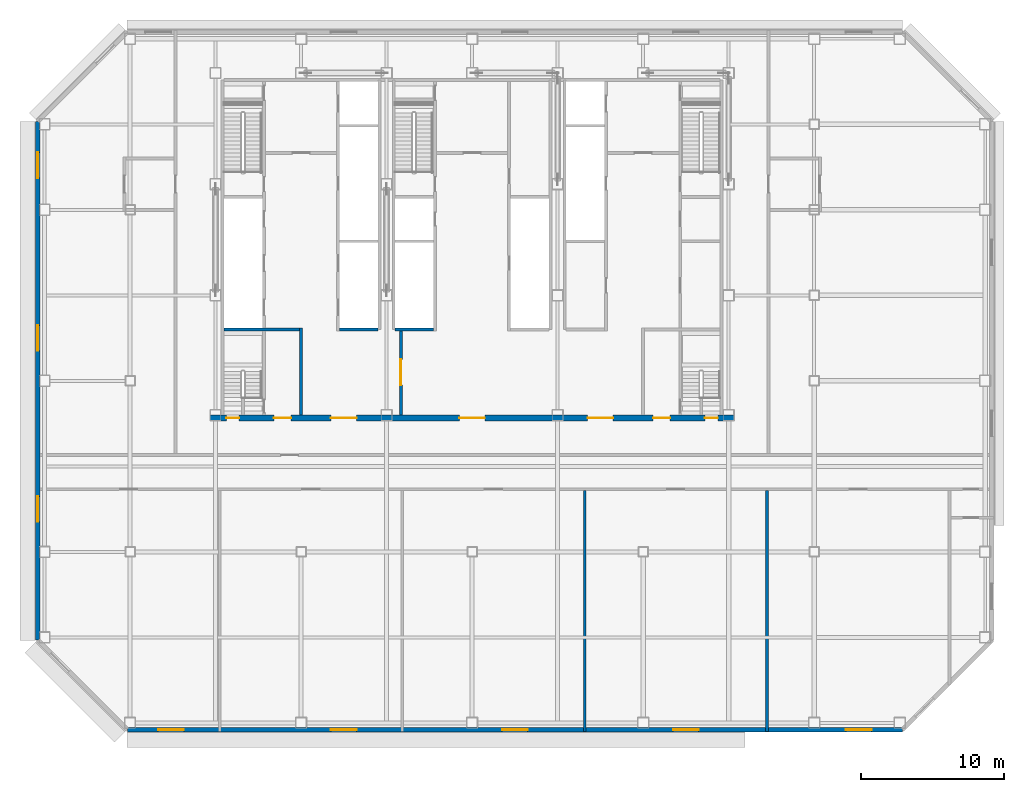
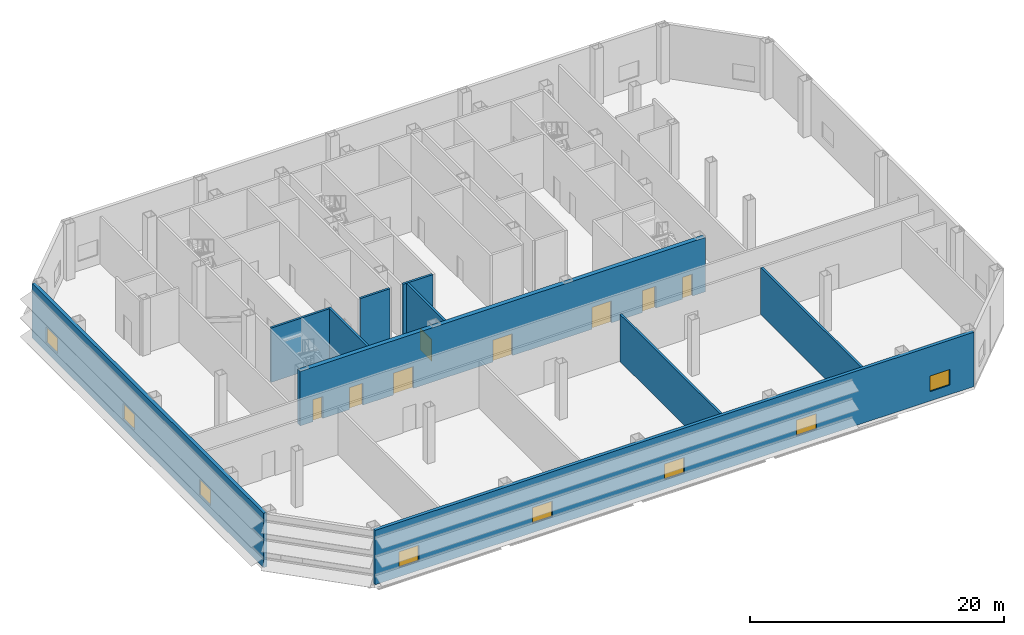
# One storey, part 3 of 10: 10 walls, 8 doors, 8 windows, 16 openings.
"""IFC4 building model written with IfcOpenShell, lengths in metres."""

import ifcopenshell
import ifcopenshell.guid

model = None  # the IFC model being written
_history = None  # IfcOwnerHistory: only IFC2X3 demands one
_inside = {}  # id of a spatial element -> (the spatial element, [elements in it])
_under = {}  # id of a project, library or spatial element -> (it, [spatial elements below it])
_declared = {}  # id of a project -> (the project, [libraries it declares])
_typed = {}  # id of a type object -> (the type object, [elements of that type])
_made_of = {}  # id of a material, layer set ... -> (it, [elements and type objects made of it])


def new_model(schema):
    """Start an empty IFC model of exactly this schema.

    Asked for "IFC4X3", IfcOpenShell would pick the latest addendum, in which some entities
    have other attributes; the version numbers below select the first issue.
    IFC2X3 requires an IfcOwnerHistory on every rooted entity: one is made here for all.
    """
    global model, _history
    if schema == "IFC4X3":
        model = ifcopenshell.file(schema_version=(4, 3, 0, 0))
    else:
        model = ifcopenshell.file(schema=schema)
    _inside.clear()
    _under.clear()
    _declared.clear()
    _typed.clear()
    _made_of.clear()
    _history = None
    if model.schema == "IFC2X3":
        org = make("IfcOrganization", Name="unknown")
        user = make(
            "IfcPersonAndOrganization",
            ThePerson=make("IfcPerson", FamilyName="unknown"),
            TheOrganization=org,
        )
        app = make(
            "IfcApplication",
            ApplicationDeveloper=org,
            Version="unknown",
            ApplicationFullName="unknown",
            ApplicationIdentifier="unknown",
        )
        _history = make(
            "IfcOwnerHistory",
            OwningUser=user,
            OwningApplication=app,
            ChangeAction="ADDED",
            CreationDate=0,
        )
    return model


def make(cls, **values):
    """One entity of the class cls with the attributes given. An attribute that is None is left unset."""
    return model.create_entity(
        cls, **{name: value for name, value in values.items() if value is not None}
    )


def rooted(cls, **values):
    """An entity with a GlobalId (a new one), such as an element, a storey or a relation."""
    return make(cls, GlobalId=ifcopenshell.guid.new(), OwnerHistory=_history, **values)


def si_unit(unit_type, name, prefix=None):
    """IfcSIUnit, for example si_unit("LENGTHUNIT", "METRE", prefix="MILLI")."""
    return make("IfcSIUnit", UnitType=unit_type, Prefix=prefix, Name=name)


def assignment(units):
    """IfcUnitAssignment: the units of a project."""
    return None if units is None else make("IfcUnitAssignment", Units=units)


def point(xyz):
    """IfcCartesianPoint."""
    return None if xyz is None else make("IfcCartesianPoint", Coordinates=xyz)


def direction(xyz):
    """IfcDirection."""
    return None if xyz is None else make("IfcDirection", DirectionRatios=xyz)


def frame(location, z_axis=None, x_axis=None):
    """IfcAxis2Placement3D, a coordinate frame: its origin and axes. An axis left out is left unset."""
    return make(
        "IfcAxis2Placement3D",
        Location=point(location),
        Axis=direction(z_axis),
        RefDirection=direction(x_axis),
    )


def frame_2d(location, x_axis=None):
    """IfcAxis2Placement2D, a coordinate frame in the plane: its origin and x axis."""
    return make(
        "IfcAxis2Placement2D", Location=point(location), RefDirection=direction(x_axis)
    )


def origin():
    """The frame at (0, 0, 0) with its axes left unset."""
    return frame((0.0, 0.0, 0.0))


def place(relative_to, where):
    """IfcLocalPlacement: puts the frame where relative to a parent placement (None: the world)."""
    return make(
        "IfcLocalPlacement", PlacementRelTo=relative_to, RelativePlacement=where
    )


def context(
    kind, dimensions, precision=None, world=None, true_north=None, identifier=None
):
    """IfcGeometricRepresentationContext, for example the 3D "Model" context."""
    return make(
        "IfcGeometricRepresentationContext",
        ContextIdentifier=identifier,
        ContextType=kind,
        CoordinateSpaceDimension=dimensions,
        Precision=precision,
        WorldCoordinateSystem=world,
        TrueNorth=true_north,
    )


def subcontext(parent, identifier, kind, view, scale=None):
    """IfcGeometricRepresentationSubContext, for example "Body" below "Model"."""
    return make(
        "IfcGeometricRepresentationSubContext",
        ContextIdentifier=identifier,
        ContextType=kind,
        ParentContext=parent,
        TargetScale=scale,
        TargetView=view,
    )


def project(units=None, contexts=None):
    """IfcProject with its units and contexts."""
    return rooted(
        "IfcProject",
        Name="project",
        RepresentationContexts=contexts,
        UnitsInContext=assignment(units),
    )


def spatial(cls, under=None, at=None, **own):
    """A site, building, storey or space (cls), placed at a placement, below another one or the project."""
    s = rooted(cls, ObjectPlacement=at, **own)
    if under is not None:
        _under.setdefault(under.id(), (under, []))[1].append(s)
    return s


def profile(cls, at=None, kind="AREA", **sizes):
    """A parametric profile (cls). Its sizes go by their IFC names, for example OverallWidth=200.0."""
    return make(cls, ProfileType=kind, Position=at, **sizes)


def rectangle(**sizes):
    """IfcRectangleProfileDef."""
    return profile("IfcRectangleProfileDef", **sizes)


def extrude(swept, where, along, depth):
    """IfcExtrudedAreaSolid: the profile swept, set in the frame where, extruded along a direction by depth."""
    return make(
        "IfcExtrudedAreaSolid",
        SweptArea=swept,
        Position=where,
        ExtrudedDirection=direction(along),
        Depth=depth,
    )


def shape(context_of_items, identifier, shape_type, items):
    """IfcShapeRepresentation: the items that make up one representation, for example the "Body"."""
    return make(
        "IfcShapeRepresentation",
        ContextOfItems=context_of_items,
        RepresentationIdentifier=identifier,
        RepresentationType=shape_type,
        Items=items,
    )


def material(Name=None, Category=None):
    """IfcMaterial."""
    return make("IfcMaterial", Name=Name, Category=Category)


def layer(
    of_material, thickness, ventilated=None, Name=None, Category=None, Priority=None
):
    """IfcMaterialLayer: one layer of a wall or slab, of a material (None: an air gap)."""
    return make(
        "IfcMaterialLayer",
        Material=of_material,
        LayerThickness=thickness,
        IsVentilated=ventilated,
        Name=Name,
        Category=Category,
        Priority=Priority,
    )


def layer_set(layers, Name=None):
    """IfcMaterialLayerSet."""
    return make("IfcMaterialLayerSet", MaterialLayers=layers, LayerSetName=Name)


def made_of(thing, what):
    """Note that an element or type object is made of a material, layer set ...; save() writes the relation."""
    if what is not None:
        _made_of.setdefault(what.id(), (what, []))[1].append(thing)
    return thing


def type_object(cls, material=None, **own):
    """A type object (cls), such as IfcWallType, which elements share."""
    return made_of(rooted(cls, **own), material)


def element(
    cls,
    number,
    at=None,
    inside=None,
    cuts=None,
    type_object=None,
    material=None,
    context=None,
    identifier="Body",
    shape_type=None,
    held_by="IfcProductDefinitionShape",
    body=None,
    shapes=None,
    **own,
):
    """One element of the class cls, such as IfcWall. Its Tag is "e" and its number.

    at: its placement. inside: the storey or other place that contains it. cuts: it is an
    opening in that element (IfcRelVoidsElement). A single representation is given by context,
    identifier, shape_type and body (its items); several are given by shapes. held_by: the class
    of the entity that holds the representations. save() writes the other relations.
    """
    e = rooted(cls, Tag="e%d" % number, ObjectPlacement=at, **own)
    if body is not None:
        shapes = [shape(context, identifier, shape_type, body)]
    if shapes is not None:
        e.Representation = make(held_by, Representations=shapes)
    if inside is not None:
        _inside.setdefault(inside.id(), (inside, []))[1].append(e)
    if cuts is not None:
        rooted(
            "IfcRelVoidsElement", RelatingBuildingElement=cuts, RelatedOpeningElement=e
        )
    if type_object is not None:
        _typed.setdefault(type_object.id(), (type_object, []))[1].append(e)
    return made_of(e, material)


def fill(opening, filler):
    """IfcRelFillsElement: the door or window that sits in an opening."""
    return rooted(
        "IfcRelFillsElement",
        RelatingOpeningElement=opening,
        RelatedBuildingElement=filler,
    )


def aggregate(whole, parts):
    """IfcRelAggregates: a whole, such as a stair, and the parts it consists of."""
    return rooted("IfcRelAggregates", RelatingObject=whole, RelatedObjects=parts)


def save(model, path):
    """Write the relations noted so far, then the file.

    IfcRelAggregates (storeys below a building ...), IfcRelContainedInSpatialStructure (elements
    in a storey), IfcRelDefinesByType, IfcRelAssociatesMaterial and IfcRelDeclares: one each for
    every whole, place, type object, material and project.
    """
    for whole, parts in _under.values():
        aggregate(whole, parts)
    for where, things in _inside.values():
        rooted(
            "IfcRelContainedInSpatialStructure",
            RelatedElements=things,
            RelatingStructure=where,
        )
    for kind, things in _typed.values():
        rooted("IfcRelDefinesByType", RelatedObjects=things, RelatingType=kind)
    for what, things in _made_of.values():
        rooted("IfcRelAssociatesMaterial", RelatedObjects=things, RelatingMaterial=what)
    for by, libraries in _declared.values():
        rooted("IfcRelDeclares", RelatingContext=by, RelatedDefinitions=libraries)
    model.write(path)


model = new_model("IFC4")

# Units and contexts
model_context = context("Model", 3, precision=1e-05, world=origin(), true_north=direction((0.0, 1.0)))
body_context = subcontext(model_context, "Body", "Model", "MODEL_VIEW")
ifc_project = project(units=[si_unit("LENGTHUNIT", "METRE"), si_unit("AREAUNIT", "SQUARE_METRE"), si_unit("VOLUMEUNIT", "CUBIC_METRE"), si_unit("PLANEANGLEUNIT", "RADIAN"), si_unit("MASSUNIT", "GRAM", prefix="KILO")], contexts=[model_context])

# Site, building, storey
site_placement = place(None, origin())
site = spatial("IfcSite", under=ifc_project, at=site_placement, CompositionType="ELEMENT")
building_placement = place(site_placement, origin())
building = spatial("IfcBuilding", under=site, at=building_placement, Name="Sorahane Residences", CompositionType="ELEMENT")
storey_placement = place(building_placement, frame((0.0, 0.0, 138.39990234375)))
storey = spatial("IfcBuildingStorey", under=building, at=storey_placement, Name="L31", CompositionType="ELEMENT", Elevation=138.39990234375)

# Wall, openings, windows
ifc_material_1 = material(Name="Graphite insulated metal-clad wall")
ifc_layer_1 = layer(ifc_material_1, 0.300048828125)
ifc_layer_set_1 = layer_set([ifc_layer_1], Name="External wall insulated metal-clad 300")
wall_type_1 = type_object("IfcWallType", Name="External wall insulated metal-clad 300", PredefinedType="SOLIDWALL", material=ifc_layer_set_1)
wall_1_placement = place(storey_placement, frame((-0.194580078125, -0.469970703125, 0.0), z_axis=(0.0, 0.0, 1.0), x_axis=(1.0, 0.0, 0.0)))
wall_1 = element("IfcWall", 1, at=wall_1_placement, inside=storey, type_object=wall_type_1, Name="External plant wall L31 S1", PredefinedType="SOLIDWALL", context=body_context, shape_type="SweptSolid", body=[
    extrude(rectangle(XDim=54.38916015625, YDim=0.300048828125, at=frame_2d((27.194580078125, 0.0))), origin(), (0.0, 0.0, 1.0), 5.22021484375),
])
opening_1_placement = place(wall_1_placement, frame((2.17041015625, 0.0, 0.89990234375)))
opening_1 = element("IfcOpeningElement", 2, at=opening_1_placement, cuts=wall_1, Name="Opening W-R1", PredefinedType="OPENING", context=body_context, shape_type="SweptSolid", body=[
    extrude(rectangle(XDim=1.800048828125, YDim=1.5, at=frame_2d((0.89990234375, 0.75))), frame((0.0, 0.159912109375, 0.0), z_axis=(0.0, -1.0, 0.0), x_axis=(1.0, 0.0, 0.0)), (0.0, 0.0, 1.0), 0.320068359375),
])
opening_2_placement = place(wall_1_placement, frame((14.294677734375, 0.0, 0.89990234375)))
opening_2 = element("IfcOpeningElement", 3, at=opening_2_placement, cuts=wall_1, Name="Opening W-R1", PredefinedType="OPENING", context=body_context, shape_type="SweptSolid", body=[
    extrude(rectangle(XDim=1.800048828125, YDim=1.5, at=frame_2d((0.89990234375, 0.75))), frame((0.0, 0.159912109375, 0.0), z_axis=(0.0, -1.0, 0.0), x_axis=(1.0, 0.0, 0.0)), (0.0, 0.0, 1.0), 0.320068359375),
])
opening_3_placement = place(wall_1_placement, frame((26.294677734375, 0.0, 0.89990234375)))
opening_3 = element("IfcOpeningElement", 4, at=opening_3_placement, cuts=wall_1, Name="Opening W-R1", PredefinedType="OPENING", context=body_context, shape_type="SweptSolid", body=[
    extrude(rectangle(XDim=1.800048828125, YDim=1.5, at=frame_2d((0.89990234375, 0.75))), frame((0.0, 0.159912109375, 0.0), z_axis=(0.0, -1.0, 0.0), x_axis=(1.0, 0.0, 0.0)), (0.0, 0.0, 1.0), 0.320068359375),
])
opening_4_placement = place(wall_1_placement, frame((38.294677734375, 0.0, 0.89990234375)))
opening_4 = element("IfcOpeningElement", 5, at=opening_4_placement, cuts=wall_1, Name="Opening W-R1", PredefinedType="OPENING", context=body_context, shape_type="SweptSolid", body=[
    extrude(rectangle(XDim=1.800048828125, YDim=1.5, at=frame_2d((0.89990234375, 0.75))), frame((0.0, 0.159912109375, 0.0), z_axis=(0.0, -1.0, 0.0), x_axis=(1.0, 0.0, 0.0)), (0.0, 0.0, 1.0), 0.320068359375),
])
opening_5_placement = place(wall_1_placement, frame((50.4189453125, 0.0, 0.89990234375)))
opening_5 = element("IfcOpeningElement", 6, at=opening_5_placement, cuts=wall_1, Name="Opening W-R1", PredefinedType="OPENING", context=body_context, shape_type="SweptSolid", body=[
    extrude(rectangle(XDim=1.800048828125, YDim=1.5, at=frame_2d((0.89990234375, 0.75))), frame((0.0, 0.159912109375, 0.0), z_axis=(0.0, -1.0, 0.0), x_axis=(1.0, 0.0, 0.0)), (0.0, 0.0, 1.0), 0.320068359375),
])
ifc_material_2 = material(Name="Dark aluminium and glass", Category="aluminium")
window_type = type_object("IfcWindowType", Name="Openable Class B fire window dark aluminium 1800x1500", PartitioningType="SINGLE_PANEL", PredefinedType="WINDOW", material=ifc_material_2)
window_1_placement = place(opening_1_placement, origin())
window_1 = element("IfcWindow", 7, at=window_1_placement, inside=storey, type_object=window_type, Name="Openable fire window L31 S1.1", OverallHeight=1.5, OverallWidth=1.800048828125, PartitioningType="SINGLE_PANEL", PredefinedType="WINDOW", context=body_context, shape_type="SweptSolid", body=[
    extrude(rectangle(XDim=1.800048828125, YDim=1.5, at=frame_2d((0.89990234375, 0.75))), frame((0.0, 0.030029296875, 0.0), z_axis=(0.0, -1.0, 0.0), x_axis=(1.0, 0.0, 0.0)), (0.0, 0.0, 1.0), 0.06005859375),
])
fill(opening_1, window_1)
window_2_placement = place(opening_2_placement, origin())
window_2 = element("IfcWindow", 8, at=window_2_placement, inside=storey, type_object=window_type, Name="Openable fire window L31 S1.3", OverallHeight=1.5, OverallWidth=1.800048828125, PartitioningType="SINGLE_PANEL", PredefinedType="WINDOW", context=body_context, shape_type="SweptSolid", body=[
    extrude(rectangle(XDim=1.800048828125, YDim=1.5, at=frame_2d((0.89990234375, 0.75))), frame((0.0, 0.030029296875, 0.0), z_axis=(0.0, -1.0, 0.0), x_axis=(1.0, 0.0, 0.0)), (0.0, 0.0, 1.0), 0.06005859375),
])
fill(opening_2, window_2)
window_3_placement = place(opening_3_placement, origin())
window_3 = element("IfcWindow", 9, at=window_3_placement, inside=storey, type_object=window_type, Name="Openable fire window L31 S1.5", OverallHeight=1.5, OverallWidth=1.800048828125, PartitioningType="SINGLE_PANEL", PredefinedType="WINDOW", context=body_context, shape_type="SweptSolid", body=[
    extrude(rectangle(XDim=1.800048828125, YDim=1.5, at=frame_2d((0.89990234375, 0.75))), frame((0.0, 0.030029296875, 0.0), z_axis=(0.0, -1.0, 0.0), x_axis=(1.0, 0.0, 0.0)), (0.0, 0.0, 1.0), 0.06005859375),
])
fill(opening_3, window_3)
window_4_placement = place(opening_4_placement, origin())
window_4 = element("IfcWindow", 10, at=window_4_placement, inside=storey, type_object=window_type, Name="Openable fire window L31 S1.7", OverallHeight=1.5, OverallWidth=1.800048828125, PartitioningType="SINGLE_PANEL", PredefinedType="WINDOW", context=body_context, shape_type="SweptSolid", body=[
    extrude(rectangle(XDim=1.800048828125, YDim=1.5, at=frame_2d((0.89990234375, 0.75))), frame((0.0, 0.030029296875, 0.0), z_axis=(0.0, -1.0, 0.0), x_axis=(1.0, 0.0, 0.0)), (0.0, 0.0, 1.0), 0.06005859375),
])
fill(opening_4, window_4)
window_5_placement = place(opening_5_placement, origin())
window_5 = element("IfcWindow", 11, at=window_5_placement, inside=storey, type_object=window_type, Name="Openable fire window L31 S1.9", OverallHeight=1.5, OverallWidth=1.800048828125, PartitioningType="SINGLE_PANEL", PredefinedType="WINDOW", context=body_context, shape_type="SweptSolid", body=[
    extrude(rectangle(XDim=1.800048828125, YDim=1.5, at=frame_2d((0.89990234375, 0.75))), frame((0.0, 0.030029296875, 0.0), z_axis=(0.0, -1.0, 0.0), x_axis=(1.0, 0.0, 0.0)), (0.0, 0.0, 1.0), 0.06005859375),
])
fill(opening_5, window_5)

wall_2_placement = place(storey_placement, frame((-6.469970703125, 42.194580078125, 0.0), z_axis=(0.0, 0.0, 1.0), x_axis=(0.0, -1.0, 0.0)))
wall_2 = element("IfcWall", 12, at=wall_2_placement, inside=storey, type_object=wall_type_1, Name="External plant wall L31 W1", PredefinedType="SOLIDWALL", context=body_context, shape_type="SweptSolid", body=[
    extrude(rectangle(XDim=36.38916015625, YDim=0.300048828125, at=frame_2d((18.194580078125, 0.0))), origin(), (0.0, 0.0, 1.0), 5.22021484375),
])
opening_6_placement = place(wall_2_placement, frame((2.17041015625, 0.0, 0.89990234375)))
opening_6 = element("IfcOpeningElement", 13, at=opening_6_placement, cuts=wall_2, Name="Opening W-R1", PredefinedType="OPENING", context=body_context, shape_type="SweptSolid", body=[
    extrude(rectangle(XDim=1.800048828125, YDim=1.5, at=frame_2d((0.89990234375, 0.75))), frame((0.0, 0.159912109375, 0.0), z_axis=(0.0, -1.0, 0.0), x_axis=(1.0, 0.0, 0.0)), (0.0, 0.0, 1.0), 0.320068359375),
])
opening_7_placement = place(wall_2_placement, frame((14.294677734375, 0.0, 0.89990234375)))
opening_7 = element("IfcOpeningElement", 14, at=opening_7_placement, cuts=wall_2, Name="Opening W-R1", PredefinedType="OPENING", context=body_context, shape_type="SweptSolid", body=[
    extrude(rectangle(XDim=1.800048828125, YDim=1.5, at=frame_2d((0.89990234375, 0.75))), frame((0.0, 0.159912109375, 0.0), z_axis=(0.0, -1.0, 0.0), x_axis=(1.0, 0.0, 0.0)), (0.0, 0.0, 1.0), 0.320068359375),
])
opening_8_placement = place(wall_2_placement, frame((26.294677734375, 0.0, 0.89990234375)))
opening_8 = element("IfcOpeningElement", 15, at=opening_8_placement, cuts=wall_2, Name="Opening W-R1", PredefinedType="OPENING", context=body_context, shape_type="SweptSolid", body=[
    extrude(rectangle(XDim=1.800048828125, YDim=1.5, at=frame_2d((0.89990234375, 0.75))), frame((0.0, 0.159912109375, 0.0), z_axis=(0.0, -1.0, 0.0), x_axis=(1.0, 0.0, 0.0)), (0.0, 0.0, 1.0), 0.320068359375),
])
window_6_placement = place(opening_6_placement, origin())
window_6 = element("IfcWindow", 16, at=window_6_placement, inside=storey, type_object=window_type, Name="Openable fire window L31 W1.1", OverallHeight=1.5, OverallWidth=1.800048828125, PartitioningType="SINGLE_PANEL", PredefinedType="WINDOW", context=body_context, shape_type="SweptSolid", body=[
    extrude(rectangle(XDim=1.800048828125, YDim=1.5, at=frame_2d((0.89990234375, 0.75))), frame((0.0, 0.030029296875, 0.0), z_axis=(0.0, -1.0, 0.0), x_axis=(1.0, 0.0, 0.0)), (0.0, 0.0, 1.0), 0.06005859375),
])
fill(opening_6, window_6)
window_7_placement = place(opening_7_placement, origin())
window_7 = element("IfcWindow", 17, at=window_7_placement, inside=storey, type_object=window_type, Name="Openable fire window L31 W1.3", OverallHeight=1.5, OverallWidth=1.800048828125, PartitioningType="SINGLE_PANEL", PredefinedType="WINDOW", context=body_context, shape_type="SweptSolid", body=[
    extrude(rectangle(XDim=1.800048828125, YDim=1.5, at=frame_2d((0.89990234375, 0.75))), frame((0.0, 0.030029296875, 0.0), z_axis=(0.0, -1.0, 0.0), x_axis=(1.0, 0.0, 0.0)), (0.0, 0.0, 1.0), 0.06005859375),
])
fill(opening_7, window_7)
window_8_placement = place(opening_8_placement, origin())
window_8 = element("IfcWindow", 18, at=window_8_placement, inside=storey, type_object=window_type, Name="Openable fire window L31 W1.5", OverallHeight=1.5, OverallWidth=1.800048828125, PartitioningType="SINGLE_PANEL", PredefinedType="WINDOW", context=body_context, shape_type="SweptSolid", body=[
    extrude(rectangle(XDim=1.800048828125, YDim=1.5, at=frame_2d((0.89990234375, 0.75))), frame((0.0, 0.030029296875, 0.0), z_axis=(0.0, -1.0, 0.0), x_axis=(1.0, 0.0, 0.0)), (0.0, 0.0, 1.0), 0.06005859375),
])
fill(opening_8, window_8)

# Walls
ifc_material_3 = material(Name="Concrete C30", Category="concrete")
ifc_layer_2 = layer(ifc_material_3, 0.199951171875)
ifc_layer_set_2 = layer_set([ifc_layer_2], Name="Front room wall 200 EI 120")
wall_type_2 = type_object("IfcWallType", Name="Front room wall 200 EI 120", PredefinedType="PARTITIONING", material=ifc_layer_set_2)
wall_3_placement = place(storey_placement, frame((12.0, 21.60009765625, 0.0), z_axis=(0.0, 0.0, 1.0), x_axis=(0.0, 1.0, 0.0)))
element("IfcWall", 19, at=wall_3_placement, inside=storey, type_object=wall_type_2, Name="L31 front room wall", PredefinedType="PARTITIONING", context=body_context, shape_type="SweptSolid", body=[
    extrude(rectangle(XDim=6.099853515625, YDim=0.199951171875, at=frame_2d((3.0498046875, 0.0))), origin(), (0.0, 0.0, 1.0), 5.22021484375),
])
ifc_material_4 = material(Name="Concrete C30", Category="concrete")
ifc_layer_3 = layer(ifc_material_4, 0.199951171875)
ifc_layer_set_3 = layer_set([ifc_layer_3], Name="Lift shaft wall 200 EI 120")
wall_type_3 = type_object("IfcWallType", Name="Lift shaft wall 200 EI 120", PredefinedType="SOLIDWALL", material=ifc_layer_set_3)
for number, where, z_axis, x_axis, name in (
    (20, (14.699951171875, 27.60009765625, 0.0), (0.0, 0.0, 1.0), (1.0, 0.0, 0.0), "L31 lift shaft wall"),
    (21, (18.60009765625, 27.60009765625, 0.0), (0.0, 0.0, 1.0), (1.0, 0.0, 0.0), "L31 lift shaft wall"),
):
    element("IfcWall", number, at=place(storey_placement, frame(where, z_axis=z_axis, x_axis=x_axis)), inside=storey, type_object=wall_type_3, Name=name, PredefinedType="SOLIDWALL", context=body_context, shape_type="SweptSolid", body=[
        extrude(rectangle(XDim=2.699951171875, YDim=0.199951171875, at=frame_2d((1.35009765625, 0.0))), origin(), (0.0, 0.0, 1.0), 5.22021484375),
    ])
ifc_material_5 = material(Name="Concrete blockwork C20 wall", Category="masonry")
ifc_layer_4 = layer(ifc_material_5, 0.199951171875)
ifc_layer_set_4 = layer_set([ifc_layer_4], Name="Plant wall 200 EI 120")
wall_type_4 = type_object("IfcWallType", Name="Plant wall 200 EI 120", PredefinedType="SOLIDWALL", material=ifc_layer_set_4)
for number, where, z_axis, x_axis, name in (
    (22, (31.89990234375, -0.60009765625, 0.0), (0.0, 0.0, 1.0), (0.0, 1.0, 0.0), "L31 plant wall"),
    (23, (44.699951171875, -0.60009765625, 0.0), (0.0, 0.0, 1.0), (0.0, 1.0, 0.0), "L31 plant wall"),
):
    element("IfcWall", number, at=place(storey_placement, frame(where, z_axis=z_axis, x_axis=x_axis)), inside=storey, type_object=wall_type_4, Name=name, PredefinedType="SOLIDWALL", context=body_context, shape_type="SweptSolid", body=[
        extrude(rectangle(XDim=16.900146484375, YDim=0.199951171875, at=frame_2d((8.4501953125, 0.0))), origin(), (0.0, 0.0, 1.0), 4.52001953125),
    ])

# Wall, opening, door
ifc_material_6 = material(Name="Concrete C30", Category="concrete")
ifc_layer_5 = layer(ifc_material_6, 0.199951171875)
ifc_layer_set_5 = layer_set([ifc_layer_5], Name="Service room partition 200 EI 60")
wall_type_5 = type_object("IfcWallType", Name="Service room partition 200 EI 60", PredefinedType="PARTITIONING", material=ifc_layer_set_5)
wall_4_placement = place(storey_placement, frame((19.0, 21.60009765625, 0.0), z_axis=(0.0, 0.0, 1.0), x_axis=(0.0, 1.0, 0.0)))
wall_4 = element("IfcWall", 24, at=wall_4_placement, inside=storey, type_object=wall_type_5, Name="L31 service room wall", PredefinedType="PARTITIONING", context=body_context, shape_type="SweptSolid", body=[
    extrude(rectangle(XDim=6.0, YDim=0.199951171875, at=frame_2d((3.0, 0.0))), origin(), (0.0, 0.0, 1.0), 5.22021484375),
])
opening_9_placement = place(wall_4_placement, frame((2.10009765625, 0.0, 0.0)))
opening_9 = element("IfcOpeningElement", 25, at=opening_9_placement, cuts=wall_4, Name="Opening L31-C02", PredefinedType="OPENING", context=body_context, shape_type="SweptSolid", body=[
    extrude(rectangle(XDim=1.800048828125, YDim=2.10009765625, at=frame_2d((0.89990234375, 1.050048828125))), frame((0.0, 0.10986328125, 0.0), z_axis=(0.0, -1.0, 0.0), x_axis=(1.0, 0.0, 0.0)), (0.0, 0.0, 1.0), 0.219970703125),
])
ifc_material_7 = material(Name="Steel", Category="steel")
door_type_1 = type_object("IfcDoorType", Name="Waiting hall door 1800x2100 FD60", OperationType="NOTDEFINED", PredefinedType="DOOR", material=ifc_material_7)
door_1_placement = place(opening_9_placement, origin())
door_1 = element("IfcDoor", 26, at=door_1_placement, inside=storey, type_object=door_type_1, Name="Waiting hall door Residents' waiting hall west L31", OperationType="SINGLE_SWING_LEFT", OverallHeight=2.10009765625, OverallWidth=1.800048828125, PredefinedType="DOOR", context=body_context, shape_type="SweptSolid", body=[
    extrude(rectangle(XDim=1.800048828125, YDim=2.10009765625, at=frame_2d((0.89990234375, 1.050048828125))), frame((0.0, 0.02490234375, 0.0), z_axis=(0.0, -1.0, 0.0), x_axis=(1.0, 0.0, 0.0)), (0.0, 0.0, 1.0), 0.050048828125),
])
fill(opening_9, door_1)

# Wall
ifc_material_8 = material(Name="Concrete C30", Category="concrete")
ifc_layer_6 = layer(ifc_material_8, 0.199951171875)
ifc_layer_set_6 = layer_set([ifc_layer_6], Name="Stair enclosure wall 200 EI 120")
wall_type_6 = type_object("IfcWallType", Name="Stair enclosure wall 200 EI 120", PredefinedType="SOLIDWALL", material=ifc_layer_set_6)
wall_5_placement = place(storey_placement, frame((6.60009765625, 27.60009765625, 0.0), z_axis=(0.0, 0.0, 1.0), x_axis=(1.0, 0.0, 0.0)))
element("IfcWall", 27, at=wall_5_placement, inside=storey, type_object=wall_type_6, Name="L31 stair enclosure wall", PredefinedType="SOLIDWALL", context=body_context, shape_type="SweptSolid", body=[
    extrude(rectangle(XDim=5.2998046875, YDim=0.199951171875, at=frame_2d((2.64990234375, 0.0))), origin(), (0.0, 0.0, 1.0), 5.22021484375),
])

# Wall, openings, doors
ifc_material_9 = material(Name="Concrete C30", Category="concrete")
ifc_layer_7 = layer(ifc_material_9, 0.39990234375)
ifc_layer_set_7 = layer_set([ifc_layer_7], Name="Waiting hall wall 400 EI 120")
wall_type_7 = type_object("IfcWallType", Name="Waiting hall wall 400 EI 120", PredefinedType="SOLIDWALL", material=ifc_layer_set_7)
wall_6_placement = place(storey_placement, frame((5.60009765625, 21.39990234375, 0.0), z_axis=(0.0, 0.0, 1.0), x_axis=(1.0, 0.0, 0.0)))
wall_6 = element("IfcWall", 28, at=wall_6_placement, inside=storey, type_object=wall_type_7, Name="L31 waiting hall wall", PredefinedType="SOLIDWALL", context=body_context, shape_type="SweptSolid", body=[
    extrude(rectangle(XDim=36.7998046875, YDim=0.39990234375, at=frame_2d((18.39990234375, 0.0))), origin(), (0.0, 0.0, 1.0), 5.22021484375),
])
opening_10_placement = place(wall_6_placement, frame((8.5, 0.0, 0.0)))
opening_10 = element("IfcOpeningElement", 29, at=opening_10_placement, cuts=wall_6, Name="Opening L31-C01", PredefinedType="OPENING", context=body_context, shape_type="SweptSolid", body=[
    extrude(rectangle(XDim=1.800048828125, YDim=2.10009765625, at=frame_2d((0.89990234375, 1.050048828125))), frame((0.0, 0.2099609375, 0.0), z_axis=(0.0, -1.0, 0.0), x_axis=(1.0, 0.0, 0.0)), (0.0, 0.0, 1.0), 0.419921875),
])
opening_11_placement = place(wall_6_placement, frame((17.5, 0.0, 0.0)))
opening_11 = element("IfcOpeningElement", 30, at=opening_11_placement, cuts=wall_6, Name="Opening L31-C03", PredefinedType="OPENING", context=body_context, shape_type="SweptSolid", body=[
    extrude(rectangle(XDim=1.800048828125, YDim=2.10009765625, at=frame_2d((0.89990234375, 1.050048828125))), frame((0.0, 0.2099609375, 0.0), z_axis=(0.0, -1.0, 0.0), x_axis=(1.0, 0.0, 0.0)), (0.0, 0.0, 1.0), 0.419921875),
])
opening_12_placement = place(wall_6_placement, frame((26.5, 0.0, 0.0)))
opening_12 = element("IfcOpeningElement", 31, at=opening_12_placement, cuts=wall_6, Name="Opening L31-C04", PredefinedType="OPENING", context=body_context, shape_type="SweptSolid", body=[
    extrude(rectangle(XDim=1.800048828125, YDim=2.10009765625, at=frame_2d((0.89990234375, 1.050048828125))), frame((0.0, 0.2099609375, 0.0), z_axis=(0.0, -1.0, 0.0), x_axis=(1.0, 0.0, 0.0)), (0.0, 0.0, 1.0), 0.419921875),
])
opening_13_placement = place(wall_6_placement, frame((4.5, 0.0, 0.0)))
opening_13 = element("IfcOpeningElement", 32, at=opening_13_placement, cuts=wall_6, Name="Opening L31-C05", PredefinedType="OPENING", context=body_context, shape_type="SweptSolid", body=[
    extrude(rectangle(XDim=1.199951171875, YDim=2.10009765625, at=frame_2d((0.60009765625, 1.050048828125))), frame((0.0, 0.2099609375, 0.0), z_axis=(0.0, -1.0, 0.0), x_axis=(1.0, 0.0, 0.0)), (0.0, 0.0, 1.0), 0.419921875),
])
opening_14_placement = place(wall_6_placement, frame((31.10009765625, 0.0, 0.0)))
opening_14 = element("IfcOpeningElement", 33, at=opening_14_placement, cuts=wall_6, Name="Opening L31-C06", PredefinedType="OPENING", context=body_context, shape_type="SweptSolid", body=[
    extrude(rectangle(XDim=1.199951171875, YDim=2.10009765625, at=frame_2d((0.60009765625, 1.050048828125))), frame((0.0, 0.2099609375, 0.0), z_axis=(0.0, -1.0, 0.0), x_axis=(1.0, 0.0, 0.0)), (0.0, 0.0, 1.0), 0.419921875),
])
opening_15_placement = place(wall_6_placement, frame((1.16259765625, 0.0, 0.0)))
opening_15 = element("IfcOpeningElement", 34, at=opening_15_placement, cuts=wall_6, Name="Opening L31-C26", PredefinedType="OPENING", context=body_context, shape_type="SweptSolid", body=[
    extrude(rectangle(XDim=0.89990234375, YDim=2.10009765625, at=frame_2d((0.449951171875, 1.050048828125))), frame((0.0, 0.2099609375, 0.0), z_axis=(0.0, -1.0, 0.0), x_axis=(1.0, 0.0, 0.0)), (0.0, 0.0, 1.0), 0.419921875),
])
opening_16_placement = place(wall_6_placement, frame((34.737548828125, 0.0, 0.0)))
opening_16 = element("IfcOpeningElement", 35, at=opening_16_placement, cuts=wall_6, Name="Opening L31-C29", PredefinedType="OPENING", context=body_context, shape_type="SweptSolid", body=[
    extrude(rectangle(XDim=0.89990234375, YDim=2.10009765625, at=frame_2d((0.449951171875, 1.050048828125))), frame((0.0, 0.2099609375, 0.0), z_axis=(0.0, -1.0, 0.0), x_axis=(1.0, 0.0, 0.0)), (0.0, 0.0, 1.0), 0.419921875),
])
ifc_material_10 = material(Name="Steel", Category="steel")
door_type_2 = type_object("IfcDoorType", Name="Refuge stair door 900x2100 FD120", OperationType="NOTDEFINED", PredefinedType="DOOR", material=ifc_material_10)
door_2_placement = place(opening_15_placement, origin())
door_2 = element("IfcDoor", 36, at=door_2_placement, inside=storey, type_object=door_type_2, Name="Refuge stair door S4 L31", OperationType="SINGLE_SWING_LEFT", OverallHeight=2.10009765625, OverallWidth=0.89990234375, PredefinedType="DOOR", context=body_context, shape_type="SweptSolid", body=[
    extrude(rectangle(XDim=0.89990234375, YDim=2.10009765625, at=frame_2d((0.449951171875, 1.050048828125))), frame((0.0, 0.02490234375, 0.0), z_axis=(0.0, -1.0, 0.0), x_axis=(1.0, 0.0, 0.0)), (0.0, 0.0, 1.0), 0.050048828125),
])
fill(opening_15, door_2)
door_3_placement = place(opening_16_placement, origin())
door_3 = element("IfcDoor", 37, at=door_3_placement, inside=storey, type_object=door_type_2, Name="Refuge stair door S5 L31", OperationType="SINGLE_SWING_LEFT", OverallHeight=2.10009765625, OverallWidth=0.89990234375, PredefinedType="DOOR", context=body_context, shape_type="SweptSolid", body=[
    extrude(rectangle(XDim=0.89990234375, YDim=2.10009765625, at=frame_2d((0.449951171875, 1.050048828125))), frame((0.0, 0.02490234375, 0.0), z_axis=(0.0, -1.0, 0.0), x_axis=(1.0, 0.0, 0.0)), (0.0, 0.0, 1.0), 0.050048828125),
])
fill(opening_16, door_3)
ifc_material_11 = material(Name="Steel", Category="steel")
door_type_3 = type_object("IfcDoorType", Name="Stair front room door 1200x2100 FD120", OperationType="NOTDEFINED", PredefinedType="DOOR", material=ifc_material_11)
door_4_placement = place(opening_13_placement, frame((1.199951171875, 0.0, 0.0), z_axis=(0.0, 0.0, 1.0), x_axis=(-1.0, 0.0, 0.0)))
door_4 = element("IfcDoor", 38, at=door_4_placement, inside=storey, type_object=door_type_3, Name="Stair front room door Stair S4 front room L31", OperationType="SINGLE_SWING_LEFT", OverallHeight=2.10009765625, OverallWidth=1.199951171875, PredefinedType="DOOR", context=body_context, shape_type="SweptSolid", body=[
    extrude(rectangle(XDim=1.199951171875, YDim=2.10009765625, at=frame_2d((0.60009765625, 1.050048828125))), frame((0.0, 0.02490234375, 0.0), z_axis=(0.0, -1.0, 0.0), x_axis=(1.0, 0.0, 0.0)), (0.0, 0.0, 1.0), 0.050048828125),
])
fill(opening_13, door_4)
door_5_placement = place(opening_14_placement, frame((1.199951171875, 0.0, 0.0), z_axis=(0.0, 0.0, 1.0), x_axis=(-1.0, 0.0, 0.0)))
door_5 = element("IfcDoor", 39, at=door_5_placement, inside=storey, type_object=door_type_3, Name="Stair front room door Stair S5 front room L31", OperationType="SINGLE_SWING_LEFT", OverallHeight=2.10009765625, OverallWidth=1.199951171875, PredefinedType="DOOR", context=body_context, shape_type="SweptSolid", body=[
    extrude(rectangle(XDim=1.199951171875, YDim=2.10009765625, at=frame_2d((0.60009765625, 1.050048828125))), frame((0.0, 0.02490234375, 0.0), z_axis=(0.0, -1.0, 0.0), x_axis=(1.0, 0.0, 0.0)), (0.0, 0.0, 1.0), 0.050048828125),
])
fill(opening_14, door_5)
door_6_placement = place(opening_10_placement, frame((1.800048828125, 0.0, 0.0), z_axis=(0.0, 0.0, 1.0), x_axis=(-1.0, 0.0, 0.0)))
door_6 = element("IfcDoor", 40, at=door_6_placement, inside=storey, type_object=door_type_1, Name="Waiting hall door Residents' waiting hall west L31", OperationType="SINGLE_SWING_LEFT", OverallHeight=2.10009765625, OverallWidth=1.800048828125, PredefinedType="DOOR", context=body_context, shape_type="SweptSolid", body=[
    extrude(rectangle(XDim=1.800048828125, YDim=2.10009765625, at=frame_2d((0.89990234375, 1.050048828125))), frame((0.0, 0.02490234375, 0.0), z_axis=(0.0, -1.0, 0.0), x_axis=(1.0, 0.0, 0.0)), (0.0, 0.0, 1.0), 0.050048828125),
])
fill(opening_10, door_6)
door_7_placement = place(opening_11_placement, frame((1.800048828125, 0.0, 0.0), z_axis=(0.0, 0.0, 1.0), x_axis=(-1.0, 0.0, 0.0)))
door_7 = element("IfcDoor", 41, at=door_7_placement, inside=storey, type_object=door_type_1, Name="Waiting hall door Residents' waiting hall east L31", OperationType="SINGLE_SWING_LEFT", OverallHeight=2.10009765625, OverallWidth=1.800048828125, PredefinedType="DOOR", context=body_context, shape_type="SweptSolid", body=[
    extrude(rectangle(XDim=1.800048828125, YDim=2.10009765625, at=frame_2d((0.89990234375, 1.050048828125))), frame((0.0, 0.02490234375, 0.0), z_axis=(0.0, -1.0, 0.0), x_axis=(1.0, 0.0, 0.0)), (0.0, 0.0, 1.0), 0.050048828125),
])
fill(opening_11, door_7)
door_8_placement = place(opening_12_placement, frame((1.800048828125, 0.0, 0.0), z_axis=(0.0, 0.0, 1.0), x_axis=(-1.0, 0.0, 0.0)))
door_8 = element("IfcDoor", 42, at=door_8_placement, inside=storey, type_object=door_type_1, Name="Waiting hall door Residents' waiting hall east L31", OperationType="SINGLE_SWING_LEFT", OverallHeight=2.10009765625, OverallWidth=1.800048828125, PredefinedType="DOOR", context=body_context, shape_type="SweptSolid", body=[
    extrude(rectangle(XDim=1.800048828125, YDim=2.10009765625, at=frame_2d((0.89990234375, 1.050048828125))), frame((0.0, 0.02490234375, 0.0), z_axis=(0.0, -1.0, 0.0), x_axis=(1.0, 0.0, 0.0)), (0.0, 0.0, 1.0), 0.050048828125),
])
fill(opening_12, door_8)

save(model, "model.ifc")
